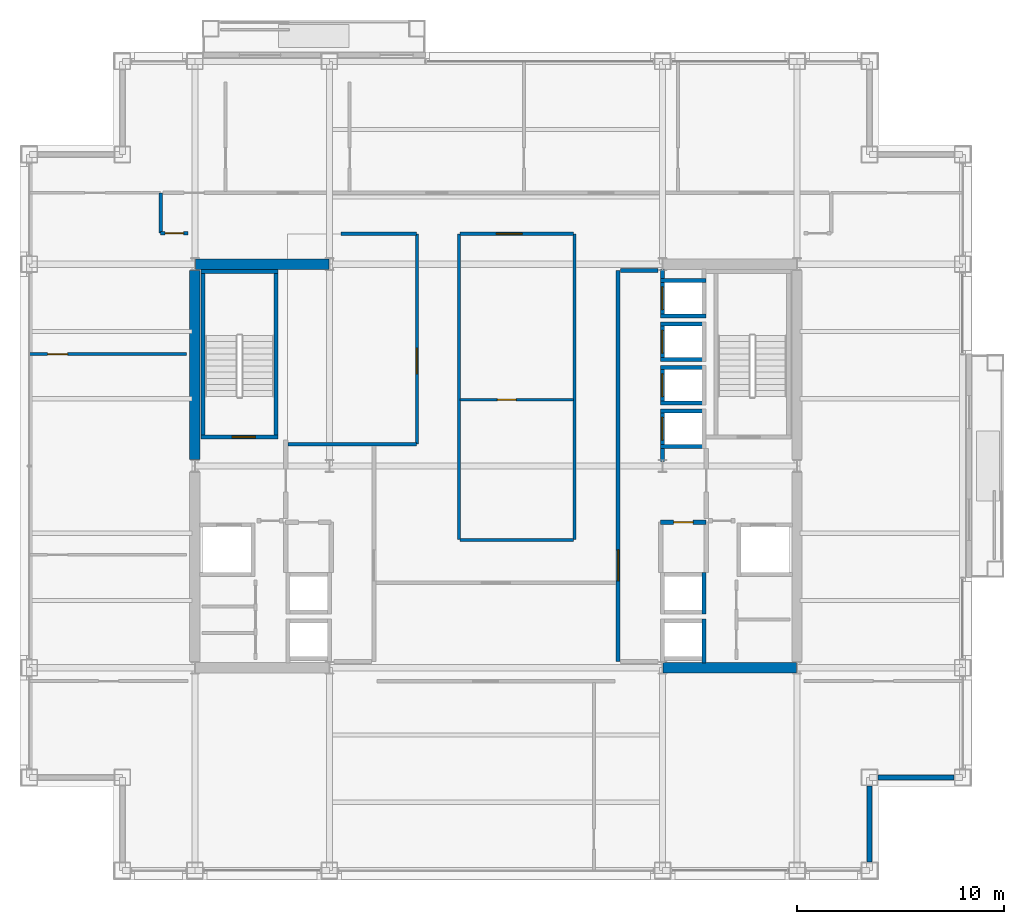
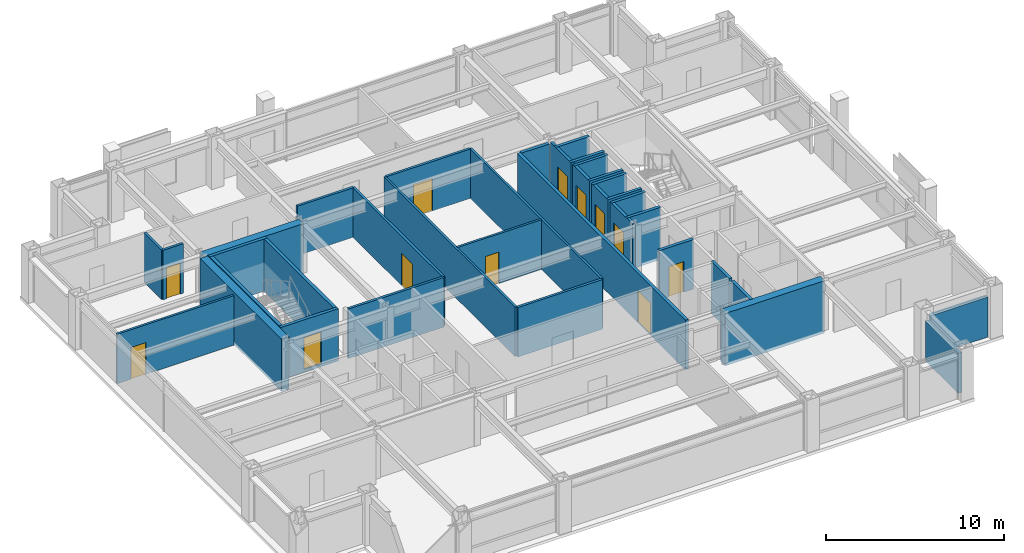
# One storey, part 25 of 29: 37 walls, 12 doors, 12 openings.
"""IFC4 building model written with IfcOpenShell, lengths in metres."""

from ifc_helpers import new_model, si_unit, direction, frame, frame_2d, origin, place, context, subcontext, project, spatial, rectangle, extrude, material, layer, layer_set, type_object, element, fill, save


model = new_model("IFC4")

# Units and contexts
model_context = context("Model", 3, precision=1e-05, world=origin(), true_north=direction((0.0, 1.0)))
body_context = subcontext(model_context, "Body", "Model", "MODEL_VIEW")
ifc_project = project(units=[si_unit("LENGTHUNIT", "METRE"), si_unit("AREAUNIT", "SQUARE_METRE"), si_unit("VOLUMEUNIT", "CUBIC_METRE"), si_unit("PLANEANGLEUNIT", "RADIAN"), si_unit("MASSUNIT", "GRAM", prefix="KILO")], contexts=[model_context])

# Site, building, storey
site_placement = place(None, origin())
site = spatial("IfcSite", under=ifc_project, at=site_placement, CompositionType="ELEMENT")
building_placement = place(site_placement, origin())
building = spatial("IfcBuilding", under=site, at=building_placement, Name="Brelmoor Portico Tower", CompositionType="ELEMENT")
storey_placement = place(building_placement, frame((0.0, 0.0, 135.0)))
storey = spatial("IfcBuildingStorey", under=building, at=storey_placement, Name="L35", CompositionType="ELEMENT", Elevation=135.0)

# Walls
ifc_material_1 = material(Name="Concrete C60", Category="concrete")
ifc_layer_1 = layer(ifc_material_1, 0.5)
ifc_layer_set_1 = layer_set([ifc_layer_1], Name="Concrete C60")
wall_type_1 = type_object("IfcWallType", Name="WL-CORE-500", PredefinedType="SHEAR", material=ifc_layer_set_1)
wall_1_placement = place(storey_placement, frame((-14.530029296875, 9.75, -0.199951171875), z_axis=(0.0, 0.0, 1.0), x_axis=(1.0, 0.0, 0.0)))
element("IfcWall", 1, at=wall_1_placement, inside=storey, type_object=wall_type_1, Name="L35 WC North Shear Wall", PredefinedType="SHEAR", context=body_context, shape_type="SweptSolid", body=[
    extrude(rectangle(XDim=6.4599609375, YDim=0.5, at=frame_2d((3.22998046875, 0.0))), origin(), (0.0, 0.0, 1.0), 3.599853515625),
])
wall_2_placement = place(storey_placement, frame((-14.550048828125, 0.300048828125, -0.199951171875), z_axis=(0.0, 0.0, 1.0), x_axis=(0.0, 1.0, 0.0)))
element("IfcWall", 2, at=wall_2_placement, inside=storey, type_object=wall_type_1, Name="L35 WC Outer North Shear Wall", PredefinedType="SHEAR", context=body_context, shape_type="SweptSolid", body=[
    extrude(rectangle(XDim=9.14990234375, YDim=0.5, at=frame_2d((4.574951171875, 0.0))), origin(), (0.0, 0.0, 1.0), 3.599853515625),
])
wall_3_placement = place(storey_placement, frame((8.070068359375, -9.75, -0.199951171875), z_axis=(0.0, 0.0, 1.0), x_axis=(1.0, 0.0, 0.0)))
element("IfcWall", 3, at=wall_3_placement, inside=storey, type_object=wall_type_1, Name="L35 EC South Shear Wall", PredefinedType="SHEAR", context=body_context, shape_type="SweptSolid", body=[
    extrude(rectangle(XDim=6.4599609375, YDim=0.5, at=frame_2d((3.22998046875, 0.0))), origin(), (0.0, 0.0, 1.0), 3.599853515625),
])
ifc_material_2 = material(Name="Precast Concrete C40 Insulated Facade Wall", Category="concrete")
ifc_layer_2 = layer(ifc_material_2, 0.25)
ifc_layer_set_2 = layer_set([ifc_layer_2], Name="Precast Concrete C40 Insulated Facade Wall")
wall_type_2 = type_object("IfcWallType", Name="WL-EXT-250", PredefinedType="STANDARD", material=ifc_layer_set_2)
for number, where, z_axis, x_axis, name in (
    (4, (18.4599609375, -15.050048828125, 0.0), (0.0, 0.0, 1.0), (1.0, 0.0, 0.0), "L35 Corner Notch Facade Wall NSEH1"),
    (5, (18.050048828125, -19.139892578125, 0.0), (0.0, 0.0, 1.0), (0.0, 1.0, 0.0), "L35 Corner Notch Facade Wall NSEV1"),
):
    element("IfcWall", number, at=place(storey_placement, frame(where, z_axis=z_axis, x_axis=x_axis)), inside=storey, type_object=wall_type_2, Name=name, PredefinedType="STANDARD", context=body_context, shape_type="SweptSolid", body=[
        extrude(rectangle(XDim=3.679931640625, YDim=0.25, at=frame_2d((1.83984375, 0.0))), origin(), (0.0, 0.0, 1.0), 2.75),
    ])
ifc_material_3 = material(Name="Insulated Stud Suite Partition", Category="gypsum")
ifc_layer_3 = layer(ifc_material_3, 0.139892578125)
ifc_layer_set_3 = layer_set([ifc_layer_3], Name="Insulated Stud Suite Partition")
wall_type_3 = type_object("IfcWallType", Name="WL-PART-140", PredefinedType="PARTITIONING", material=ifc_layer_set_3)
for number, where, z_axis, x_axis, name in (
    (6, (-1.780029296875, -3.550048828125, 0.0), (0.0, 0.0, 1.0), (0.0, 1.0, 0.0), "L35 Central Studio West Wall"),
    (7, (3.800048828125, -3.550048828125, 0.0), (0.0, 0.0, 1.0), (0.0, 1.0, 0.0), "L35 Central Studio East Wall"),
):
    element("IfcWall", number, at=place(storey_placement, frame(where, z_axis=z_axis, x_axis=x_axis)), inside=storey, type_object=wall_type_3, Name=name, PredefinedType="PARTITIONING", context=body_context, shape_type="SweptSolid", body=[
        extrude(rectangle(XDim=14.77001953125, YDim=0.139892578125, at=frame_2d((7.385009765625, 0.0))), origin(), (0.0, 0.0, 1.0), 3.39990234375),
    ])

# Wall, opening, door
wall_4_placement = place(storey_placement, frame((-1.72998046875, 3.199951171875, 0.0), z_axis=(0.0, 0.0, 1.0), x_axis=(1.0, 0.0, 0.0)))
wall_4 = element("IfcWall", 8, at=wall_4_placement, inside=storey, type_object=wall_type_3, Name="L35 Central Pantry Divider", PredefinedType="PARTITIONING", context=body_context, shape_type="SweptSolid", body=[
    extrude(rectangle(XDim=5.47998046875, YDim=0.139892578125, at=frame_2d((2.739990234375, 0.0))), origin(), (0.0, 0.0, 1.0), 3.39990234375),
])
opening_1_placement = place(wall_4_placement, frame((1.800048828125, 0.0, 0.0)))
opening_1 = element("IfcOpeningElement", 9, at=opening_1_placement, cuts=wall_4, Name="Opening D-IN1", PredefinedType="OPENING", context=body_context, shape_type="SweptSolid", body=[
    extrude(rectangle(XDim=0.89990234375, YDim=2.14990234375, at=frame_2d((0.449951171875, 1.074951171875))), frame((0.0, 0.079833984375, 0.0), z_axis=(0.0, -1.0, 0.0), x_axis=(1.0, 0.0, 0.0)), (0.0, 0.0, 1.0), 0.159912109375),
])
ifc_material_4 = material(Name="Lacquered Timber Suite Door", Category="wood")
door_type_1 = type_object("IfcDoorType", Name="DR-INT-900", OperationType="NOTDEFINED", PredefinedType="DOOR", material=ifc_material_4)
door_1_placement = place(opening_1_placement, origin())
door_1 = element("IfcDoor", 10, at=door_1_placement, inside=storey, type_object=door_type_1, Name="D-1512 L35 Central Pantry Connecting Door", OperationType="SINGLE_SWING_LEFT", OverallHeight=2.14990234375, OverallWidth=0.89990234375, PredefinedType="DOOR", context=body_context, shape_type="SweptSolid", body=[
    extrude(rectangle(XDim=0.89990234375, YDim=2.14990234375, at=frame_2d((0.449951171875, 1.074951171875))), frame((0.0, 0.02490234375, 0.0), z_axis=(0.0, -1.0, 0.0), x_axis=(1.0, 0.0, 0.0)), (0.0, 0.0, 1.0), 0.050048828125),
])
fill(opening_1, door_1)

wall_5_placement = place(storey_placement, frame((-22.56005859375, 5.404296875, 0.0), z_axis=(0.0, 0.0, 1.0), x_axis=(1.0, 0.0, 0.0)))
wall_5 = element("IfcWall", 11, at=wall_5_placement, inside=storey, type_object=wall_type_3, Name="L35 W Wing Partition 2", PredefinedType="PARTITIONING", context=body_context, shape_type="SweptSolid", body=[
    extrude(rectangle(XDim=7.60009765625, YDim=0.139892578125, at=frame_2d((3.800048828125, 0.0))), origin(), (0.0, 0.0, 1.0), 3.39990234375),
])
opening_2_placement = place(wall_5_placement, frame((0.89990234375, 0.0, 0.0)))
opening_2 = element("IfcOpeningElement", 12, at=opening_2_placement, cuts=wall_5, Name="Opening D-IN2", PredefinedType="OPENING", context=body_context, shape_type="SweptSolid", body=[
    extrude(rectangle(XDim=0.9599609375, YDim=2.179931640625, at=frame_2d((0.47998046875, 1.08984375))), frame((0.0, 0.079833984375, 0.0), z_axis=(0.0, -1.0, 0.0), x_axis=(1.0, 0.0, 0.0)), (0.0, 0.0, 1.0), 0.159912109375),
])
door_type_2 = type_object("IfcDoorType", Name="DR-INT-950", OperationType="NOTDEFINED", PredefinedType="DOOR", material=ifc_material_4)
door_2_placement = place(opening_2_placement, origin())
door_2 = element("IfcDoor", 13, at=door_2_placement, inside=storey, type_object=door_type_2, Name="D-1550 L35 W Wing Suite Connecting Door 2", OperationType="SINGLE_SWING_LEFT", OverallHeight=2.179931640625, OverallWidth=0.9599609375, PredefinedType="DOOR", context=body_context, shape_type="SweptSolid", body=[
    extrude(rectangle(XDim=0.9599609375, YDim=2.179931640625, at=frame_2d((0.47998046875, 1.08984375))), frame((0.0, 0.02490234375, 0.0), z_axis=(0.0, -1.0, 0.0), x_axis=(1.0, 0.0, 0.0)), (0.0, 0.0, 1.0), 0.050048828125),
])
fill(opening_2, door_2)

# Wall
ifc_material_5 = material(Name="Twin-Frame Acoustic Partition", Category="gypsum")
ifc_layer_4 = layer(ifc_material_5, 0.159912109375)
ifc_layer_set_4 = layer_set([ifc_layer_4], Name="Twin-Frame Acoustic Partition")
wall_type_4 = type_object("IfcWallType", Name="WL-PART-160", PredefinedType="PARTITIONING", material=ifc_layer_set_4)
wall_6_placement = place(storey_placement, frame((-10.050048828125, 1.050048828125, 0.0), z_axis=(0.0, 0.0, 1.0), x_axis=(1.0, 0.0, 0.0)))
element("IfcWall", 14, at=wall_6_placement, inside=storey, type_object=wall_type_4, Name="L35 Reclaimed West Suite South Wall", PredefinedType="PARTITIONING", context=body_context, shape_type="SweptSolid", body=[
    extrude(rectangle(XDim=6.2099609375, YDim=0.159912109375, at=frame_2d((3.10498046875, 0.0))), origin(), (0.0, 0.0, 1.0), 3.39990234375),
])

# Wall, opening, door
wall_7_placement = place(storey_placement, frame((-3.820068359375, 1.050048828125, 0.0), z_axis=(0.0, 0.0, 1.0), x_axis=(0.0, 1.0, 0.0)))
wall_7 = element("IfcWall", 15, at=wall_7_placement, inside=storey, type_object=wall_type_4, Name="L35 Reclaimed West Suite East Wall", PredefinedType="PARTITIONING", context=body_context, shape_type="SweptSolid", body=[
    extrude(rectangle(XDim=10.169921875, YDim=0.159912109375, at=frame_2d((5.0849609375, 0.0))), origin(), (0.0, 0.0, 1.0), 3.39990234375),
])
opening_3_placement = place(wall_7_placement, frame((3.39990234375, 0.0, 0.0)))
opening_3 = element("IfcOpeningElement", 16, at=opening_3_placement, cuts=wall_7, Name="Opening D-SU1", PredefinedType="OPENING", context=body_context, shape_type="SweptSolid", body=[
    extrude(rectangle(XDim=1.239990234375, YDim=2.239990234375, at=frame_2d((0.6201171875, 1.1201171875))), frame((0.0, 0.08984375, 0.0), z_axis=(0.0, -1.0, 0.0), x_axis=(1.0, 0.0, 0.0)), (0.0, 0.0, 1.0), 0.179931640625),
])
ifc_material_6 = material(Name="Glazed Timber Executive Suite Door", Category="wood")
door_type_3 = type_object("IfcDoorType", Name="DR-SUITE-1200", OperationType="NOTDEFINED", PredefinedType="DOOR", material=ifc_material_6)
door_3_placement = place(opening_3_placement, origin())
door_3 = element("IfcDoor", 17, at=door_3_placement, inside=storey, type_object=door_type_3, Name="D-1538 L35 West Reclaimed Collaboration Office Door", OperationType="SINGLE_SWING_RIGHT", OverallHeight=2.239990234375, OverallWidth=1.239990234375, PredefinedType="DOOR", context=body_context, shape_type="SweptSolid", body=[
    extrude(rectangle(XDim=1.239990234375, YDim=2.239990234375, at=frame_2d((0.6201171875, 1.1201171875))), frame((0.0, 0.02490234375, 0.0), z_axis=(0.0, -1.0, 0.0), x_axis=(1.0, 0.0, 0.0)), (0.0, 0.0, 1.0), 0.050048828125),
])
fill(opening_3, door_3)

# Walls
wall_8_placement = place(storey_placement, frame((-7.5, 11.219970703125, 0.0), z_axis=(0.0, 0.0, 1.0), x_axis=(1.0, 0.0, 0.0)))
element("IfcWall", 18, at=wall_8_placement, inside=storey, type_object=wall_type_4, Name="L35 Reclaimed West Suite North Wall", PredefinedType="PARTITIONING", context=body_context, shape_type="SweptSolid", body=[
    extrude(rectangle(XDim=3.659912109375, YDim=0.159912109375, at=frame_2d((1.830078125, 0.0))), origin(), (0.0, 0.0, 1.0), 3.39990234375),
])
wall_9_placement = place(storey_placement, frame((-1.72998046875, -3.580078125, 0.0), z_axis=(0.0, 0.0, 1.0), x_axis=(1.0, 0.0, 0.0)))
element("IfcWall", 19, at=wall_9_placement, inside=storey, type_object=wall_type_4, Name="L35 Central Studio South Wall", PredefinedType="PARTITIONING", context=body_context, shape_type="SweptSolid", body=[
    extrude(rectangle(XDim=5.47998046875, YDim=0.159912109375, at=frame_2d((2.739990234375, 0.0))), origin(), (0.0, 0.0, 1.0), 3.39990234375),
])

# Wall, opening, door
wall_10_placement = place(storey_placement, frame((-1.72998046875, 11.219970703125, 0.0), z_axis=(0.0, 0.0, 1.0), x_axis=(1.0, 0.0, 0.0)))
wall_10 = element("IfcWall", 20, at=wall_10_placement, inside=storey, type_object=wall_type_4, Name="L35 Central Meeting North Wall", PredefinedType="PARTITIONING", context=body_context, shape_type="SweptSolid", body=[
    extrude(rectangle(XDim=5.47998046875, YDim=0.159912109375, at=frame_2d((2.739990234375, 0.0))), origin(), (0.0, 0.0, 1.0), 3.39990234375),
])
opening_4_placement = place(wall_10_placement, frame((1.75, 0.0, 0.0)))
opening_4 = element("IfcOpeningElement", 21, at=opening_4_placement, cuts=wall_10, Name="Opening D-SU1", PredefinedType="OPENING", context=body_context, shape_type="SweptSolid", body=[
    extrude(rectangle(XDim=1.239990234375, YDim=2.239990234375, at=frame_2d((0.6201171875, 1.1201171875))), frame((0.0, 0.08984375, 0.0), z_axis=(0.0, -1.0, 0.0), x_axis=(1.0, 0.0, 0.0)), (0.0, 0.0, 1.0), 0.179931640625),
])
door_4_placement = place(opening_4_placement, origin())
door_4 = element("IfcDoor", 22, at=door_4_placement, inside=storey, type_object=door_type_3, Name="D-1513 L35 Client Meeting Room Door", OperationType="SINGLE_SWING_RIGHT", OverallHeight=2.239990234375, OverallWidth=1.239990234375, PredefinedType="DOOR", context=body_context, shape_type="SweptSolid", body=[
    extrude(rectangle(XDim=1.239990234375, YDim=2.239990234375, at=frame_2d((0.6201171875, 1.1201171875))), frame((0.0, 0.02490234375, 0.0), z_axis=(0.0, -1.0, 0.0), x_axis=(1.0, 0.0, 0.0)), (0.0, 0.0, 1.0), 0.050048828125),
])
fill(opening_4, door_4)

wall_11_placement = place(storey_placement, frame((-16.199951171875, 11.25, 0.0), z_axis=(0.0, 0.0, 1.0), x_axis=(1.0, 0.0, 0.0)))
wall_11 = element("IfcWall", 23, at=wall_11_placement, inside=storey, type_object=wall_type_4, Name="L35 W Wing North Entry Wall", PredefinedType="PARTITIONING", context=body_context, shape_type="SweptSolid", body=[
    extrude(rectangle(XDim=1.320068359375, YDim=0.159912109375, at=frame_2d((0.66015625, 0.0))), origin(), (0.0, 0.0, 1.0), 3.39990234375),
])
opening_5_placement = place(wall_11_placement, frame((0.2099609375, 0.0, 0.0)))
opening_5 = element("IfcOpeningElement", 24, at=opening_5_placement, cuts=wall_11, Name="Opening D-IN1", PredefinedType="OPENING", context=body_context, shape_type="SweptSolid", body=[
    extrude(rectangle(XDim=0.89990234375, YDim=2.14990234375, at=frame_2d((0.449951171875, 1.074951171875))), frame((0.0, 0.08984375, 0.0), z_axis=(0.0, -1.0, 0.0), x_axis=(1.0, 0.0, 0.0)), (0.0, 0.0, 1.0), 0.179931640625),
])
door_5_placement = place(opening_5_placement, origin())
door_5 = element("IfcDoor", 25, at=door_5_placement, inside=storey, type_object=door_type_1, Name="D-1548 L35 W Wing Entry Door", OperationType="SINGLE_SWING_LEFT", OverallHeight=2.14990234375, OverallWidth=0.89990234375, PredefinedType="DOOR", context=body_context, shape_type="SweptSolid", body=[
    extrude(rectangle(XDim=0.89990234375, YDim=2.14990234375, at=frame_2d((0.449951171875, 1.074951171875))), frame((0.0, 0.02490234375, 0.0), z_axis=(0.0, -1.0, 0.0), x_axis=(1.0, 0.0, 0.0)), (0.0, 0.0, 1.0), 0.050048828125),
])
fill(opening_5, door_5)

# Wall
wall_12_placement = place(storey_placement, frame((-16.199951171875, 11.25, 0.0), z_axis=(0.0, 0.0, 1.0), x_axis=(0.0, 1.0, 0.0)))
element("IfcWall", 26, at=wall_12_placement, inside=storey, type_object=wall_type_4, Name="L35 W Corridor End Closure", PredefinedType="PARTITIONING", context=body_context, shape_type="SweptSolid", body=[
    extrude(rectangle(XDim=1.949951171875, YDim=0.159912109375, at=frame_2d((0.97509765625, 0.0))), origin(), (0.0, 0.0, 1.0), 3.39990234375),
])

# Wall, opening, door
ifc_material_7 = material(Name="Double-Stud Gypsum Fire Partition", Category="gypsum")
ifc_layer_5 = layer(ifc_material_7, 0.199951171875)
ifc_layer_set_5 = layer_set([ifc_layer_5], Name="Double-Stud Gypsum Fire Partition")
wall_type_5 = type_object("IfcWallType", Name="WL-PART-200", PredefinedType="PARTITIONING", material=ifc_layer_set_5)
wall_13_placement = place(storey_placement, frame((5.89990234375, -9.449951171875, 0.0), z_axis=(0.0, 0.0, 1.0), x_axis=(0.0, 1.0, 0.0)))
wall_13 = element("IfcWall", 27, at=wall_13_placement, inside=storey, type_object=wall_type_5, Name="L35 E Core Lobby Compartment Wall", PredefinedType="PARTITIONING", context=body_context, shape_type="SweptSolid", body=[
    extrude(rectangle(XDim=18.89990234375, YDim=0.199951171875, at=frame_2d((9.449951171875, 0.0))), origin(), (0.0, 0.0, 1.0), 3.39990234375),
])
opening_6_placement = place(wall_13_placement, frame((3.89990234375, 0.0, 0.0)))
opening_6 = element("IfcOpeningElement", 28, at=opening_6_placement, cuts=wall_13, Name="Opening D-LB1", PredefinedType="OPENING", context=body_context, shape_type="SweptSolid", body=[
    extrude(rectangle(XDim=1.5, YDim=2.199951171875, at=frame_2d((0.75, 1.10009765625))), frame((0.0, 0.10986328125, 0.0), z_axis=(0.0, -1.0, 0.0), x_axis=(1.0, 0.0, 0.0)), (0.0, 0.0, 1.0), 0.219970703125),
])
ifc_material_8 = material(Name="Double-Leaf Glazed Steel Fire Door", Category="steel")
door_type_4 = type_object("IfcDoorType", Name="DR-LOBBY-1500", OperationType="NOTDEFINED", PredefinedType="DOOR", material=ifc_material_8)
door_6_placement = place(opening_6_placement, origin())
door_6 = element("IfcDoor", 29, at=door_6_placement, inside=storey, type_object=door_type_4, Name="D-1525 L35 E Lift Lobby Main Door", OperationType="DOUBLE_DOOR_SINGLE_SWING", OverallHeight=2.199951171875, OverallWidth=1.5, PredefinedType="DOOR", context=body_context, shape_type="SweptSolid", body=[
    extrude(rectangle(XDim=1.5, YDim=2.199951171875, at=frame_2d((0.75, 1.10009765625))), frame((0.0, 0.02490234375, 0.0), z_axis=(0.0, -1.0, 0.0), x_axis=(1.0, 0.0, 0.0)), (0.0, 0.0, 1.0), 0.050048828125),
])
fill(opening_6, door_6)

# Wall
wall_14_placement = place(storey_placement, frame((6.02001953125, 9.449951171875, 0.0), z_axis=(0.0, 0.0, 1.0), x_axis=(1.0, 0.0, 0.0)))
element("IfcWall", 30, at=wall_14_placement, inside=storey, type_object=wall_type_5, Name="L35 E Lift Lobby North End Wall", PredefinedType="PARTITIONING", context=body_context, shape_type="SweptSolid", body=[
    extrude(rectangle(XDim=1.800048828125, YDim=0.199951171875, at=frame_2d((0.89990234375, 0.0))), origin(), (0.0, 0.0, 1.0), 3.39990234375),
])

# Wall, opening, door
wall_15_placement = place(storey_placement, frame((7.9599609375, -2.719970703125, 0.0), z_axis=(0.0, 0.0, 1.0), x_axis=(1.0, 0.0, 0.0)))
wall_15 = element("IfcWall", 31, at=wall_15_placement, inside=storey, type_object=wall_type_5, Name="L35 E Electrical Switchgear Closet Wall", PredefinedType="PARTITIONING", context=body_context, shape_type="SweptSolid", body=[
    extrude(rectangle(XDim=2.199951171875, YDim=0.199951171875, at=frame_2d((1.10009765625, 0.0))), origin(), (0.0, 0.0, 1.0), 3.39990234375),
])
opening_7_placement = place(wall_15_placement, frame((0.6201171875, 0.0, 0.0)))
opening_7 = element("IfcOpeningElement", 32, at=opening_7_placement, cuts=wall_15, Name="Opening D-FR4", PredefinedType="OPENING", context=body_context, shape_type="SweptSolid", body=[
    extrude(rectangle(XDim=0.949951171875, YDim=2.10009765625, at=frame_2d((0.47509765625, 1.050048828125))), frame((0.0, 0.10986328125, 0.0), z_axis=(0.0, -1.0, 0.0), x_axis=(1.0, 0.0, 0.0)), (0.0, 0.0, 1.0), 0.219970703125),
])
ifc_material_9 = material(Name="Painted Galvanised Steel Riser Door", Category="steel")
door_type_5 = type_object("IfcDoorType", Name="DR-FIRE-950", OperationType="NOTDEFINED", PredefinedType="DOOR", material=ifc_material_9)
door_7_placement = place(opening_7_placement, origin())
door_7 = element("IfcDoor", 33, at=door_7_placement, inside=storey, type_object=door_type_5, Name="D-1521 L35 E Electrical Switchgear Closet Door", OperationType="SINGLE_SWING_LEFT", OverallHeight=2.10009765625, OverallWidth=0.949951171875, PredefinedType="DOOR", context=body_context, shape_type="SweptSolid", body=[
    extrude(rectangle(XDim=0.949951171875, YDim=2.10009765625, at=frame_2d((0.47509765625, 1.050048828125))), frame((0.0, 0.02490234375, 0.0), z_axis=(0.0, -1.0, 0.0), x_axis=(1.0, 0.0, 0.0)), (0.0, 0.0, 1.0), 0.050048828125),
])
fill(opening_7, door_7)

ifc_material_10 = material(Name="Precast Concrete C40", Category="concrete")
ifc_layer_6 = layer(ifc_material_10, 0.18994140625)
ifc_layer_set_6 = layer_set([ifc_layer_6], Name="Precast Concrete C40")
wall_type_6 = type_object("IfcWallType", Name="WL-SHAFT-180", PredefinedType="SOLIDWALL", material=ifc_layer_set_6)
wall_16_placement = place(storey_placement, frame((8.044921875, 0.2099609375, -0.199951171875), z_axis=(0.0, 0.0, 1.0), x_axis=(0.0, 1.0, 0.0)))
wall_16 = element("IfcWall", 34, at=wall_16_placement, inside=storey, type_object=wall_type_6, Name="L35 Lift PM1 Hoistway Front Wall", PredefinedType="SOLIDWALL", context=body_context, shape_type="SweptSolid", body=[
    extrude(rectangle(XDim=2.5400390625, YDim=0.18994140625, at=frame_2d((1.27001953125, 0.0))), origin(), (0.0, 0.0, 1.0), 3.599853515625),
])
opening_8_placement = place(wall_16_placement, frame((1.0400390625, 0.0, 0.199951171875)))
opening_8 = element("IfcOpeningElement", 35, at=opening_8_placement, cuts=wall_16, Name="Opening LD-01", PredefinedType="OPENING", context=body_context, shape_type="SweptSolid", body=[
    extrude(rectangle(XDim=1.10009765625, YDim=2.199951171875, at=frame_2d((0.550048828125, 1.10009765625))), frame((0.0, 0.10498046875, 0.0), z_axis=(0.0, -1.0, 0.0), x_axis=(1.0, 0.0, 0.0)), (0.0, 0.0, 1.0), 0.2099609375),
])
ifc_material_11 = material(Name="Brushed Stainless Steel Sliding Lift Door", Category="steel")
door_type_6 = type_object("IfcDoorType", Name="DR-LIFT-1100", OperationType="NOTDEFINED", PredefinedType="DOOR", material=ifc_material_11)
door_8_placement = place(opening_8_placement, origin())
door_8 = element("IfcDoor", 36, at=door_8_placement, inside=storey, type_object=door_type_6, Name="D-1553 L35 Lift PM1 Sliding Landing Door", OperationType="SLIDING_TO_LEFT", OverallHeight=2.199951171875, OverallWidth=1.10009765625, PredefinedType="DOOR", context=body_context, shape_type="SweptSolid", body=[
    extrude(rectangle(XDim=1.10009765625, YDim=2.199951171875, at=frame_2d((0.550048828125, 1.10009765625))), frame((0.0, 0.02490234375, 0.0), z_axis=(0.0, -1.0, 0.0), x_axis=(1.0, 0.0, 0.0)), (0.0, 0.0, 1.0), 0.050048828125),
])
fill(opening_8, door_8)

# Walls
for number, where, z_axis, x_axis, name in (
    (37, (7.949951171875, 2.655029296875, -0.199951171875), (0.0, 0.0, 1.0), (1.0, 0.0, 0.0), "L35 Lift PM1 Hoistway North Wall"),
    (38, (7.949951171875, 0.945068359375, -0.199951171875), (0.0, 0.0, 1.0), (1.0, 0.0, 0.0), "L35 Lift PM1 Hoistway South Wall"),
):
    element("IfcWall", number, at=place(storey_placement, frame(where, z_axis=z_axis, x_axis=x_axis)), inside=storey, type_object=wall_type_6, Name=name, PredefinedType="SOLIDWALL", context=body_context, shape_type="SweptSolid", body=[
        extrude(rectangle(XDim=2.199951171875, YDim=0.18994140625, at=frame_2d((1.10009765625, 0.0))), origin(), (0.0, 0.0, 1.0), 3.599853515625),
    ])

# Wall, opening, door
wall_17_placement = place(storey_placement, frame((8.044921875, 2.949951171875, -0.199951171875), z_axis=(0.0, 0.0, 1.0), x_axis=(0.0, 1.0, 0.0)))
wall_17 = element("IfcWall", 39, at=wall_17_placement, inside=storey, type_object=wall_type_6, Name="L35 Lift PM2 Hoistway Front Wall", PredefinedType="SOLIDWALL", context=body_context, shape_type="SweptSolid", body=[
    extrude(rectangle(XDim=1.900146484375, YDim=0.18994140625, at=frame_2d((0.9501953125, 0.0))), origin(), (0.0, 0.0, 1.0), 3.599853515625),
])
opening_9_placement = place(wall_17_placement, frame((0.39990234375, 0.0, 0.199951171875)))
opening_9 = element("IfcOpeningElement", 40, at=opening_9_placement, cuts=wall_17, Name="Opening LD-01", PredefinedType="OPENING", context=body_context, shape_type="SweptSolid", body=[
    extrude(rectangle(XDim=1.10009765625, YDim=2.199951171875, at=frame_2d((0.550048828125, 1.10009765625))), frame((0.0, 0.10498046875, 0.0), z_axis=(0.0, -1.0, 0.0), x_axis=(1.0, 0.0, 0.0)), (0.0, 0.0, 1.0), 0.2099609375),
])
door_9_placement = place(opening_9_placement, origin())
door_9 = element("IfcDoor", 41, at=door_9_placement, inside=storey, type_object=door_type_6, Name="D-1554 L35 Lift PM2 Sliding Landing Door", OperationType="SLIDING_TO_LEFT", OverallHeight=2.199951171875, OverallWidth=1.10009765625, PredefinedType="DOOR", context=body_context, shape_type="SweptSolid", body=[
    extrude(rectangle(XDim=1.10009765625, YDim=2.199951171875, at=frame_2d((0.550048828125, 1.10009765625))), frame((0.0, 0.02490234375, 0.0), z_axis=(0.0, -1.0, 0.0), x_axis=(1.0, 0.0, 0.0)), (0.0, 0.0, 1.0), 0.050048828125),
])
fill(opening_9, door_9)

# Walls
for number, where, z_axis, x_axis, name in (
    (42, (7.949951171875, 4.7548828125, -0.199951171875), (0.0, 0.0, 1.0), (1.0, 0.0, 0.0), "L35 Lift PM2 Hoistway North Wall"),
    (43, (7.949951171875, 3.044921875, -0.199951171875), (0.0, 0.0, 1.0), (1.0, 0.0, 0.0), "L35 Lift PM2 Hoistway South Wall"),
):
    element("IfcWall", number, at=place(storey_placement, frame(where, z_axis=z_axis, x_axis=x_axis)), inside=storey, type_object=wall_type_6, Name=name, PredefinedType="SOLIDWALL", context=body_context, shape_type="SweptSolid", body=[
        extrude(rectangle(XDim=2.199951171875, YDim=0.18994140625, at=frame_2d((1.10009765625, 0.0))), origin(), (0.0, 0.0, 1.0), 3.599853515625),
    ])

# Wall, opening, door
wall_18_placement = place(storey_placement, frame((8.044921875, 5.050048828125, -0.199951171875), z_axis=(0.0, 0.0, 1.0), x_axis=(0.0, 1.0, 0.0)))
wall_18 = element("IfcWall", 44, at=wall_18_placement, inside=storey, type_object=wall_type_6, Name="L35 Lift PM3 Hoistway Front Wall", PredefinedType="SOLIDWALL", context=body_context, shape_type="SweptSolid", body=[
    extrude(rectangle(XDim=1.89990234375, YDim=0.18994140625, at=frame_2d((0.949951171875, 0.0))), origin(), (0.0, 0.0, 1.0), 3.599853515625),
])
opening_10_placement = place(wall_18_placement, frame((0.39990234375, 0.0, 0.199951171875)))
opening_10 = element("IfcOpeningElement", 45, at=opening_10_placement, cuts=wall_18, Name="Opening LD-01", PredefinedType="OPENING", context=body_context, shape_type="SweptSolid", body=[
    extrude(rectangle(XDim=1.10009765625, YDim=2.199951171875, at=frame_2d((0.550048828125, 1.10009765625))), frame((0.0, 0.10498046875, 0.0), z_axis=(0.0, -1.0, 0.0), x_axis=(1.0, 0.0, 0.0)), (0.0, 0.0, 1.0), 0.2099609375),
])
door_10_placement = place(opening_10_placement, origin())
door_10 = element("IfcDoor", 46, at=door_10_placement, inside=storey, type_object=door_type_6, Name="D-1555 L35 Lift PM3 Sliding Landing Door", OperationType="SLIDING_TO_LEFT", OverallHeight=2.199951171875, OverallWidth=1.10009765625, PredefinedType="DOOR", context=body_context, shape_type="SweptSolid", body=[
    extrude(rectangle(XDim=1.10009765625, YDim=2.199951171875, at=frame_2d((0.550048828125, 1.10009765625))), frame((0.0, 0.02490234375, 0.0), z_axis=(0.0, -1.0, 0.0), x_axis=(1.0, 0.0, 0.0)), (0.0, 0.0, 1.0), 0.050048828125),
])
fill(opening_10, door_10)

# Walls
for number, where, z_axis, x_axis, name in (
    (47, (7.949951171875, 6.85498046875, -0.199951171875), (0.0, 0.0, 1.0), (1.0, 0.0, 0.0), "L35 Lift PM3 Hoistway North Wall"),
    (48, (7.949951171875, 5.14501953125, -0.199951171875), (0.0, 0.0, 1.0), (1.0, 0.0, 0.0), "L35 Lift PM3 Hoistway South Wall"),
):
    element("IfcWall", number, at=place(storey_placement, frame(where, z_axis=z_axis, x_axis=x_axis)), inside=storey, type_object=wall_type_6, Name=name, PredefinedType="SOLIDWALL", context=body_context, shape_type="SweptSolid", body=[
        extrude(rectangle(XDim=2.199951171875, YDim=0.18994140625, at=frame_2d((1.10009765625, 0.0))), origin(), (0.0, 0.0, 1.0), 3.599853515625),
    ])

# Wall, opening, door
wall_19_placement = place(storey_placement, frame((8.044921875, 7.14990234375, -0.199951171875), z_axis=(0.0, 0.0, 1.0), x_axis=(0.0, 1.0, 0.0)))
wall_19 = element("IfcWall", 49, at=wall_19_placement, inside=storey, type_object=wall_type_6, Name="L35 Lift PM4 Hoistway Front Wall", PredefinedType="SOLIDWALL", context=body_context, shape_type="SweptSolid", body=[
    extrude(rectangle(XDim=2.3701171875, YDim=0.18994140625, at=frame_2d((1.18505859375, 0.0))), origin(), (0.0, 0.0, 1.0), 3.599853515625),
])
opening_11_placement = place(wall_19_placement, frame((0.39990234375, 0.0, 0.199951171875)))
opening_11 = element("IfcOpeningElement", 50, at=opening_11_placement, cuts=wall_19, Name="Opening LD-01", PredefinedType="OPENING", context=body_context, shape_type="SweptSolid", body=[
    extrude(rectangle(XDim=1.10009765625, YDim=2.199951171875, at=frame_2d((0.550048828125, 1.10009765625))), frame((0.0, 0.10498046875, 0.0), z_axis=(0.0, -1.0, 0.0), x_axis=(1.0, 0.0, 0.0)), (0.0, 0.0, 1.0), 0.2099609375),
])
door_11_placement = place(opening_11_placement, origin())
door_11 = element("IfcDoor", 51, at=door_11_placement, inside=storey, type_object=door_type_6, Name="D-1556 L35 Lift PM4 Sliding Landing Door", OperationType="SLIDING_TO_LEFT", OverallHeight=2.199951171875, OverallWidth=1.10009765625, PredefinedType="DOOR", context=body_context, shape_type="SweptSolid", body=[
    extrude(rectangle(XDim=1.10009765625, YDim=2.199951171875, at=frame_2d((0.550048828125, 1.10009765625))), frame((0.0, 0.02490234375, 0.0), z_axis=(0.0, -1.0, 0.0), x_axis=(1.0, 0.0, 0.0)), (0.0, 0.0, 1.0), 0.050048828125),
])
fill(opening_11, door_11)

# Walls
for number, where, z_axis, x_axis, name in (
    (52, (7.949951171875, 8.955078125, -0.199951171875), (0.0, 0.0, 1.0), (1.0, 0.0, 0.0), "L35 Lift PM4 Hoistway North Wall"),
    (53, (7.949951171875, 7.2451171875, -0.199951171875), (0.0, 0.0, 1.0), (1.0, 0.0, 0.0), "L35 Lift PM4 Hoistway South Wall"),
):
    element("IfcWall", number, at=place(storey_placement, frame(where, z_axis=z_axis, x_axis=x_axis)), inside=storey, type_object=wall_type_6, Name=name, PredefinedType="SOLIDWALL", context=body_context, shape_type="SweptSolid", body=[
        extrude(rectangle(XDim=2.199951171875, YDim=0.18994140625, at=frame_2d((1.10009765625, 0.0))), origin(), (0.0, 0.0, 1.0), 3.599853515625),
    ])
wall_20_placement = place(storey_placement, frame((10.054931640625, -9.52001953125, -0.199951171875), z_axis=(0.0, 0.0, 1.0), x_axis=(0.0, 1.0, 0.0)))
element("IfcWall", 54, at=wall_20_placement, inside=storey, type_object=wall_type_6, Name="L35 Lift PH3 Hoistway Back Wall", PredefinedType="SOLIDWALL", context=body_context, shape_type="SweptSolid", body=[
    extrude(rectangle(XDim=2.1201171875, YDim=0.18994140625, at=frame_2d((1.06005859375, 0.0))), origin(), (0.0, 0.0, 1.0), 3.599853515625),
])
wall_21_placement = place(storey_placement, frame((10.054931640625, -7.14990234375, -0.199951171875), z_axis=(0.0, 0.0, 1.0), x_axis=(0.0, 1.0, 0.0)))
element("IfcWall", 55, at=wall_21_placement, inside=storey, type_object=wall_type_6, Name="L35 Lift PH4 Hoistway Back Wall", PredefinedType="SOLIDWALL", context=body_context, shape_type="SweptSolid", body=[
    extrude(rectangle(XDim=2.0, YDim=0.18994140625, at=frame_2d((1.0, 0.0))), origin(), (0.0, 0.0, 1.0), 3.599853515625),
])
ifc_material_12 = material(Name="Concrete C40", Category="concrete")
ifc_layer_7 = layer(ifc_material_12, 0.199951171875)
ifc_layer_set_7 = layer_set([ifc_layer_7], Name="Concrete C40")
wall_type_7 = type_object("IfcWallType", Name="WL-SHAFT-RC200", PredefinedType="SOLIDWALL", material=ifc_layer_set_7)
wall_22_placement = place(storey_placement, frame((-14.14990234375, 1.5, -0.199951171875), z_axis=(0.0, 0.0, 1.0), x_axis=(0.0, 1.0, 0.0)))
element("IfcWall", 56, at=wall_22_placement, inside=storey, type_object=wall_type_7, Name="L35 ST-W Structural Stair Wall Outer", PredefinedType="SOLIDWALL", context=body_context, shape_type="SweptSolid", body=[
    extrude(rectangle(XDim=7.800048828125, YDim=0.199951171875, at=frame_2d((3.89990234375, 0.0))), origin(), (0.0, 0.0, 1.0), 3.599853515625),
])

# Wall, opening, door
wall_23_placement = place(storey_placement, frame((-14.25, 1.39990234375, -0.199951171875), z_axis=(0.0, 0.0, 1.0), x_axis=(1.0, 0.0, 0.0)))
wall_23 = element("IfcWall", 57, at=wall_23_placement, inside=storey, type_object=wall_type_7, Name="L35 ST-W Structural Stair Wall S", PredefinedType="SOLIDWALL", context=body_context, shape_type="SweptSolid", body=[
    extrude(rectangle(XDim=3.719970703125, YDim=0.199951171875, at=frame_2d((1.85986328125, 0.0))), origin(), (0.0, 0.0, 1.0), 3.599853515625),
])
opening_12_placement = place(wall_23_placement, frame((1.5, 0.0, 0.199951171875)))
opening_12 = element("IfcOpeningElement", 58, at=opening_12_placement, cuts=wall_23, Name="Opening D-ST1", PredefinedType="OPENING", context=body_context, shape_type="SweptSolid", body=[
    extrude(rectangle(XDim=1.1201171875, YDim=2.179931640625, at=frame_2d((0.56005859375, 1.08984375))), frame((0.0, 0.10986328125, 0.0), z_axis=(0.0, -1.0, 0.0), x_axis=(1.0, 0.0, 0.0)), (0.0, 0.0, 1.0), 0.219970703125),
])
ifc_material_13 = material(Name="Painted Galvanised Steel Fire Door", Category="steel")
door_type_7 = type_object("IfcDoorType", Name="DR-STAIR-1100", OperationType="NOTDEFINED", PredefinedType="DOOR", material=ifc_material_13)
door_12_placement = place(opening_12_placement, origin())
door_12 = element("IfcDoor", 59, at=door_12_placement, inside=storey, type_object=door_type_7, Name="D-1542 L35 ST-W Protected Exit Stair Door", OperationType="SINGLE_SWING_LEFT", OverallHeight=2.179931640625, OverallWidth=1.1201171875, PredefinedType="DOOR", context=body_context, shape_type="SweptSolid", body=[
    extrude(rectangle(XDim=1.1201171875, YDim=2.179931640625, at=frame_2d((0.56005859375, 1.08984375))), frame((0.0, 0.02490234375, 0.0), z_axis=(0.0, -1.0, 0.0), x_axis=(1.0, 0.0, 0.0)), (0.0, 0.0, 1.0), 0.050048828125),
])
fill(opening_12, door_12)

# Walls
wall_24_placement = place(storey_placement, frame((-14.25, 9.39990234375, -0.199951171875), z_axis=(0.0, 0.0, 1.0), x_axis=(1.0, 0.0, 0.0)))
element("IfcWall", 60, at=wall_24_placement, inside=storey, type_object=wall_type_7, Name="L35 ST-W Structural Stair Wall N", PredefinedType="SOLIDWALL", context=body_context, shape_type="SweptSolid", body=[
    extrude(rectangle(XDim=3.719970703125, YDim=0.199951171875, at=frame_2d((1.85986328125, 0.0))), origin(), (0.0, 0.0, 1.0), 3.599853515625),
])
wall_25_placement = place(storey_placement, frame((-10.6298828125, 1.5, -0.199951171875), z_axis=(0.0, 0.0, 1.0), x_axis=(0.0, 1.0, 0.0)))
element("IfcWall", 61, at=wall_25_placement, inside=storey, type_object=wall_type_7, Name="L35 ST-W Structural Stair Wall Inner", PredefinedType="SOLIDWALL", context=body_context, shape_type="SweptSolid", body=[
    extrude(rectangle(XDim=7.800048828125, YDim=0.199951171875, at=frame_2d((3.89990234375, 0.0))), origin(), (0.0, 0.0, 1.0), 3.599853515625),
])

save(model, "model.ifc")
